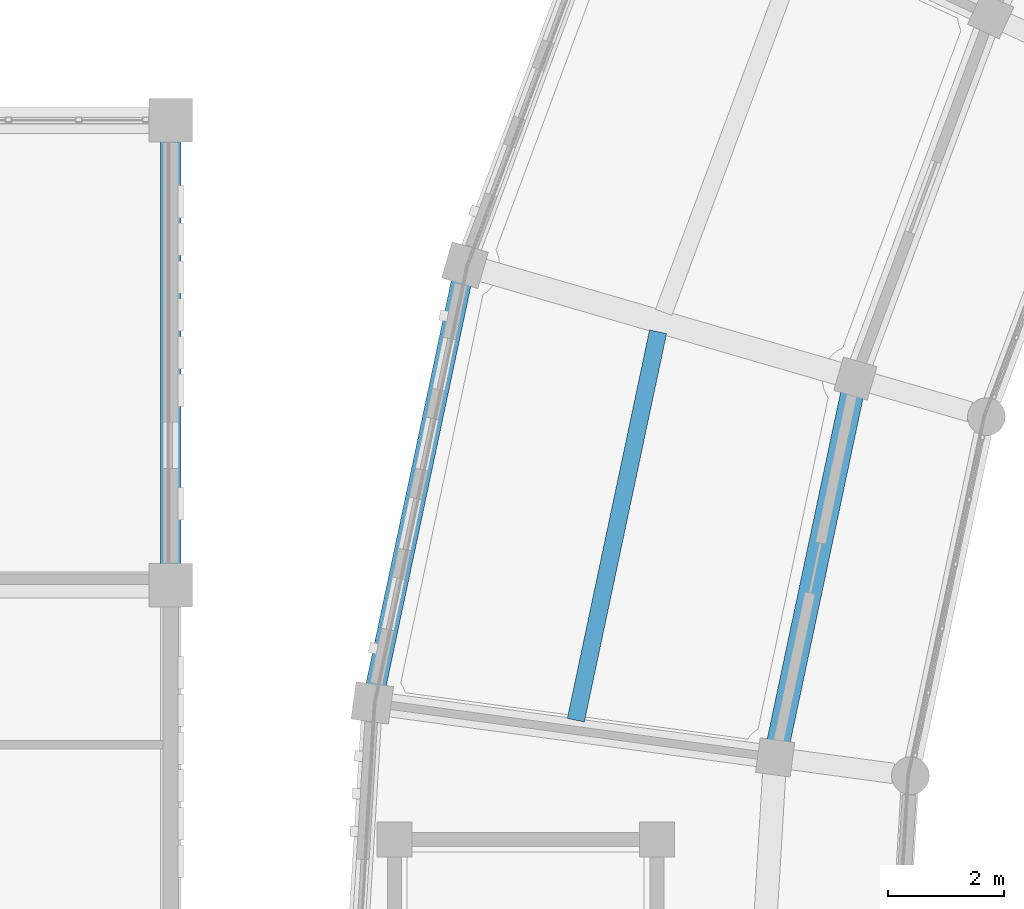
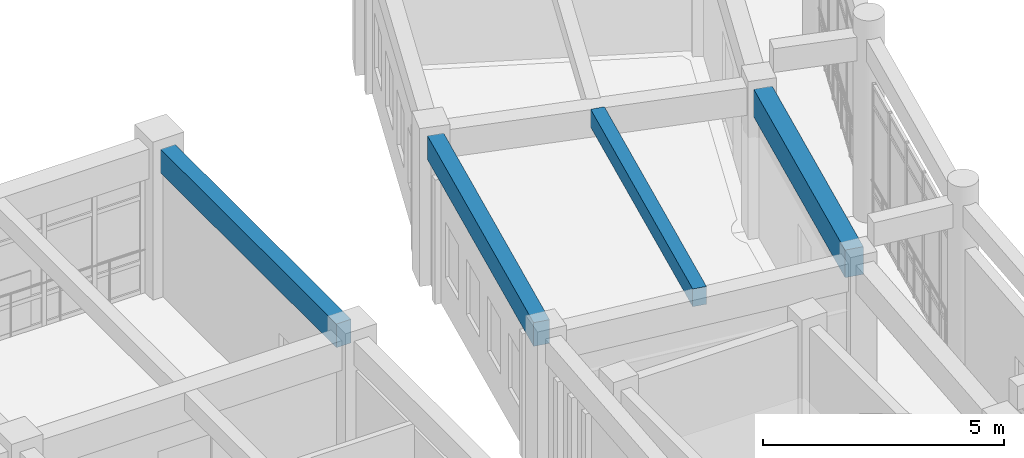
# One storey, part 57 of 159: 4 beams.
"""IFC4 building model written with IfcOpenShell, lengths in metres."""

import ifcopenshell
import ifcopenshell.guid

model = None  # the IFC model being written
_history = None  # IfcOwnerHistory: only IFC2X3 demands one
_inside = {}  # id of a spatial element -> (the spatial element, [elements in it])
_under = {}  # id of a project, library or spatial element -> (it, [spatial elements below it])
_declared = {}  # id of a project -> (the project, [libraries it declares])
_typed = {}  # id of a type object -> (the type object, [elements of that type])
_made_of = {}  # id of a material, layer set ... -> (it, [elements and type objects made of it])


def new_model(schema):
    """Start an empty IFC model of exactly this schema.

    Asked for "IFC4X3", IfcOpenShell would pick the latest addendum, in which some entities
    have other attributes; the version numbers below select the first issue.
    IFC2X3 requires an IfcOwnerHistory on every rooted entity: one is made here for all.
    """
    global model, _history
    if schema == "IFC4X3":
        model = ifcopenshell.file(schema_version=(4, 3, 0, 0))
    else:
        model = ifcopenshell.file(schema=schema)
    _inside.clear()
    _under.clear()
    _declared.clear()
    _typed.clear()
    _made_of.clear()
    _history = None
    if model.schema == "IFC2X3":
        org = make("IfcOrganization", Name="unknown")
        user = make(
            "IfcPersonAndOrganization",
            ThePerson=make("IfcPerson", FamilyName="unknown"),
            TheOrganization=org,
        )
        app = make(
            "IfcApplication",
            ApplicationDeveloper=org,
            Version="unknown",
            ApplicationFullName="unknown",
            ApplicationIdentifier="unknown",
        )
        _history = make(
            "IfcOwnerHistory",
            OwningUser=user,
            OwningApplication=app,
            ChangeAction="ADDED",
            CreationDate=0,
        )
    return model


def make(cls, **values):
    """One entity of the class cls with the attributes given. An attribute that is None is left unset."""
    return model.create_entity(
        cls, **{name: value for name, value in values.items() if value is not None}
    )


def rooted(cls, **values):
    """An entity with a GlobalId (a new one), such as an element, a storey or a relation."""
    return make(cls, GlobalId=ifcopenshell.guid.new(), OwnerHistory=_history, **values)


def si_unit(unit_type, name, prefix=None):
    """IfcSIUnit, for example si_unit("LENGTHUNIT", "METRE", prefix="MILLI")."""
    return make("IfcSIUnit", UnitType=unit_type, Prefix=prefix, Name=name)


def assignment(units):
    """IfcUnitAssignment: the units of a project."""
    return None if units is None else make("IfcUnitAssignment", Units=units)


def point(xyz):
    """IfcCartesianPoint."""
    return None if xyz is None else make("IfcCartesianPoint", Coordinates=xyz)


def direction(xyz):
    """IfcDirection."""
    return None if xyz is None else make("IfcDirection", DirectionRatios=xyz)


def frame(location, z_axis=None, x_axis=None):
    """IfcAxis2Placement3D, a coordinate frame: its origin and axes. An axis left out is left unset."""
    return make(
        "IfcAxis2Placement3D",
        Location=point(location),
        Axis=direction(z_axis),
        RefDirection=direction(x_axis),
    )


def frame_2d(location, x_axis=None):
    """IfcAxis2Placement2D, a coordinate frame in the plane: its origin and x axis."""
    return make(
        "IfcAxis2Placement2D", Location=point(location), RefDirection=direction(x_axis)
    )


def origin():
    """The frame at (0, 0, 0) with its axes left unset."""
    return frame((0.0, 0.0, 0.0))


def origin_2d():
    """The frame at (0, 0) in the plane with its x axis left unset."""
    return frame_2d((0.0, 0.0))


def place(relative_to, where):
    """IfcLocalPlacement: puts the frame where relative to a parent placement (None: the world)."""
    return make(
        "IfcLocalPlacement", PlacementRelTo=relative_to, RelativePlacement=where
    )


def context(
    kind, dimensions, precision=None, world=None, true_north=None, identifier=None
):
    """IfcGeometricRepresentationContext, for example the 3D "Model" context."""
    return make(
        "IfcGeometricRepresentationContext",
        ContextIdentifier=identifier,
        ContextType=kind,
        CoordinateSpaceDimension=dimensions,
        Precision=precision,
        WorldCoordinateSystem=world,
        TrueNorth=true_north,
    )


def subcontext(parent, identifier, kind, view, scale=None):
    """IfcGeometricRepresentationSubContext, for example "Body" below "Model"."""
    return make(
        "IfcGeometricRepresentationSubContext",
        ContextIdentifier=identifier,
        ContextType=kind,
        ParentContext=parent,
        TargetScale=scale,
        TargetView=view,
    )


def project(units=None, contexts=None):
    """IfcProject with its units and contexts."""
    return rooted(
        "IfcProject",
        Name="project",
        RepresentationContexts=contexts,
        UnitsInContext=assignment(units),
    )


def spatial(cls, under=None, at=None, **own):
    """A site, building, storey or space (cls), placed at a placement, below another one or the project."""
    s = rooted(cls, ObjectPlacement=at, **own)
    if under is not None:
        _under.setdefault(under.id(), (under, []))[1].append(s)
    return s


def profile(cls, at=None, kind="AREA", **sizes):
    """A parametric profile (cls). Its sizes go by their IFC names, for example OverallWidth=200.0."""
    return make(cls, ProfileType=kind, Position=at, **sizes)


def rectangle(**sizes):
    """IfcRectangleProfileDef."""
    return profile("IfcRectangleProfileDef", **sizes)


def extrude(swept, where, along, depth):
    """IfcExtrudedAreaSolid: the profile swept, set in the frame where, extruded along a direction by depth."""
    return make(
        "IfcExtrudedAreaSolid",
        SweptArea=swept,
        Position=where,
        ExtrudedDirection=direction(along),
        Depth=depth,
    )


def shape(context_of_items, identifier, shape_type, items):
    """IfcShapeRepresentation: the items that make up one representation, for example the "Body"."""
    return make(
        "IfcShapeRepresentation",
        ContextOfItems=context_of_items,
        RepresentationIdentifier=identifier,
        RepresentationType=shape_type,
        Items=items,
    )


def material(Name=None, Category=None):
    """IfcMaterial."""
    return make("IfcMaterial", Name=Name, Category=Category)


def material_profile(
    of_material, cross_section, Name=None, Category=None, Priority=None
):
    """IfcMaterialProfile: a cross section and its material."""
    return make(
        "IfcMaterialProfile",
        Name=Name,
        Material=of_material,
        Profile=cross_section,
        Priority=Priority,
        Category=Category,
    )


def profile_set(profiles, Name=None, composite=None):
    """IfcMaterialProfileSet."""
    return make(
        "IfcMaterialProfileSet",
        Name=Name,
        MaterialProfiles=profiles,
        CompositeProfile=composite,
    )


def made_of(thing, what):
    """Note that an element or type object is made of a material, layer set ...; save() writes the relation."""
    if what is not None:
        _made_of.setdefault(what.id(), (what, []))[1].append(thing)
    return thing


def type_object(cls, material=None, **own):
    """A type object (cls), such as IfcWallType, which elements share."""
    return made_of(rooted(cls, **own), material)


def element(
    cls,
    number,
    at=None,
    inside=None,
    cuts=None,
    type_object=None,
    material=None,
    context=None,
    identifier="Body",
    shape_type=None,
    held_by="IfcProductDefinitionShape",
    body=None,
    shapes=None,
    **own,
):
    """One element of the class cls, such as IfcWall. Its Tag is "e" and its number.

    at: its placement. inside: the storey or other place that contains it. cuts: it is an
    opening in that element (IfcRelVoidsElement). A single representation is given by context,
    identifier, shape_type and body (its items); several are given by shapes. held_by: the class
    of the entity that holds the representations. save() writes the other relations.
    """
    e = rooted(cls, Tag="e%d" % number, ObjectPlacement=at, **own)
    if body is not None:
        shapes = [shape(context, identifier, shape_type, body)]
    if shapes is not None:
        e.Representation = make(held_by, Representations=shapes)
    if inside is not None:
        _inside.setdefault(inside.id(), (inside, []))[1].append(e)
    if cuts is not None:
        rooted(
            "IfcRelVoidsElement", RelatingBuildingElement=cuts, RelatedOpeningElement=e
        )
    if type_object is not None:
        _typed.setdefault(type_object.id(), (type_object, []))[1].append(e)
    return made_of(e, material)


def aggregate(whole, parts):
    """IfcRelAggregates: a whole, such as a stair, and the parts it consists of."""
    return rooted("IfcRelAggregates", RelatingObject=whole, RelatedObjects=parts)


def save(model, path):
    """Write the relations noted so far, then the file.

    IfcRelAggregates (storeys below a building ...), IfcRelContainedInSpatialStructure (elements
    in a storey), IfcRelDefinesByType, IfcRelAssociatesMaterial and IfcRelDeclares: one each for
    every whole, place, type object, material and project.
    """
    for whole, parts in _under.values():
        aggregate(whole, parts)
    for where, things in _inside.values():
        rooted(
            "IfcRelContainedInSpatialStructure",
            RelatedElements=things,
            RelatingStructure=where,
        )
    for kind, things in _typed.values():
        rooted("IfcRelDefinesByType", RelatedObjects=things, RelatingType=kind)
    for what, things in _made_of.values():
        rooted("IfcRelAssociatesMaterial", RelatedObjects=things, RelatingMaterial=what)
    for by, libraries in _declared.values():
        rooted("IfcRelDeclares", RelatingContext=by, RelatedDefinitions=libraries)
    model.write(path)


model = new_model("IFC4")

# Units and contexts
model_context = context("Model", 3, precision=1e-05, world=origin(), true_north=direction((0.0, 1.0)))
body_context = subcontext(model_context, "Body", "Model", "MODEL_VIEW")
ifc_project = project(units=[si_unit("LENGTHUNIT", "METRE"), si_unit("AREAUNIT", "SQUARE_METRE"), si_unit("VOLUMEUNIT", "CUBIC_METRE"), si_unit("PLANEANGLEUNIT", "RADIAN"), si_unit("MASSUNIT", "GRAM", prefix="KILO")], contexts=[model_context])

# Site, building, storey
site_placement = place(None, origin())
site = spatial("IfcSite", under=ifc_project, at=site_placement, CompositionType="ELEMENT")
building_placement = place(site_placement, origin())
building = spatial("IfcBuilding", under=site, at=building_placement, Name="Celadon Cloister-Ring School", CompositionType="ELEMENT")
storey_placement = place(building_placement, frame((0.0, 0.0, 4.5)))
storey = spatial("IfcBuildingStorey", under=building, at=storey_placement, Name="L01", CompositionType="ELEMENT", Elevation=4.5)

# Beams
ifc_material_1 = material(Name="Concrete C35/45", Category="concrete")
ifc_material_profile_1 = material_profile(ifc_material_1, rectangle(XDim=0.35009765625, YDim=0.60009765625, at=origin_2d()), Name="RC350X600")
ifc_profile_set_1 = profile_set([ifc_material_profile_1], Name="Concrete C35/45")
beam_type_1 = type_object("IfcBeamType", Name="BT-02", PredefinedType="BEAM", material=ifc_profile_set_1)
beam_1_placement = place(storey_placement, frame((32.0, 68.35009765625, 3.43994140625), z_axis=(0.0, 1.0, 0.0), x_axis=(-1.0, 0.0, 0.0)))
element("IfcBeam", 1, at=beam_1_placement, inside=storey, type_object=beam_type_1, Name="Beam 1548", PredefinedType="BEAM", context=body_context, shape_type="SweptSolid", body=[
    extrude(rectangle(XDim=0.35009765625, YDim=0.60009765625, at=origin_2d()), origin(), (0.0, 0.0, 1.0), 7.2998046875),
])
ifc_material_2 = material(Name="Concrete C35/45", Category="concrete")
ifc_material_profile_2 = material_profile(ifc_material_2, rectangle(XDim=0.39990234375, YDim=0.699951171875, at=origin_2d()), Name="RC400X700")
ifc_profile_set_2 = profile_set([ifc_material_profile_2], Name="Concrete C35/45")
beam_type_2 = type_object("IfcBeamType", Name="GT-03", PredefinedType="USERDEFINED", material=ifc_profile_set_2)
beam_2_placement = place(storey_placement, frame((43.72998046875, 71.285888671875, 3.429931640625), z_axis=(-0.207124607017, -0.978314569639, 0.0), x_axis=(0.978314569639, -0.207124607017, 0.0)))
element("IfcBeam", 2, at=beam_2_placement, inside=storey, type_object=beam_type_2, Name="Beam 0288", ObjectType="GIRDER", PredefinedType="USERDEFINED", context=body_context, shape_type="SweptSolid", body=[
    extrude(rectangle(XDim=0.39990234375, YDim=0.699951171875, at=origin_2d()), origin(), (0.0, 0.0, 1.0), 6.117431640625),
])
ifc_material_3 = material(Name="Concrete C35/45", Category="concrete")
ifc_material_profile_3 = material_profile(ifc_material_3, rectangle(XDim=0.300048828125, YDim=0.449951171875, at=origin_2d()), Name="RC300X450")
ifc_profile_set_3 = profile_set([ifc_material_profile_3], Name="Concrete C35/45")
beam_type_3 = type_object("IfcBeamType", Name="JT-01", PredefinedType="JOIST", material=ifc_profile_set_3)
beam_3_placement = place(storey_placement, frame((40.389892578125, 72.360107421875, 3.554931640625), z_axis=(-0.20712821328, -0.978313806129, 0.0), x_axis=(0.978313806129, -0.20712821328, 0.0)))
element("IfcBeam", 3, at=beam_3_placement, inside=storey, type_object=beam_type_3, Name="Beam 0290", PredefinedType="JOIST", context=body_context, shape_type="SweptSolid", body=[
    extrude(rectangle(XDim=0.300048828125, YDim=0.449951171875, at=origin_2d()), origin(), (0.0, 0.0, 1.0), 6.835205078125),
])
ifc_material_4 = material(Name="Concrete C35/45", Category="concrete")
ifc_material_profile_4 = material_profile(ifc_material_4, rectangle(XDim=0.35009765625, YDim=0.60009765625, at=origin_2d()), Name="RC350X600")
ifc_profile_set_4 = profile_set([ifc_material_profile_4], Name="Concrete C35/45")
beam_type_4 = type_object("IfcBeamType", Name="SP-01", PredefinedType="SPANDREL", material=ifc_profile_set_4)
beam_4_placement = place(storey_placement, frame((37.0029296875, 73.215087890625, 3.47998046875), z_axis=(-0.207158448317, -0.978307404291, 0.0), x_axis=(0.978307404291, -0.207158448317, 0.0)))
element("IfcBeam", 4, at=beam_4_placement, inside=storey, type_object=beam_type_4, Name="Beam 0287", PredefinedType="SPANDREL", context=body_context, shape_type="SweptSolid", body=[
    extrude(rectangle(XDim=0.35009765625, YDim=0.60009765625, at=origin_2d()), origin(), (0.0, 0.0, 1.0), 7.105224609375),
])

save(model, "model.ifc")
